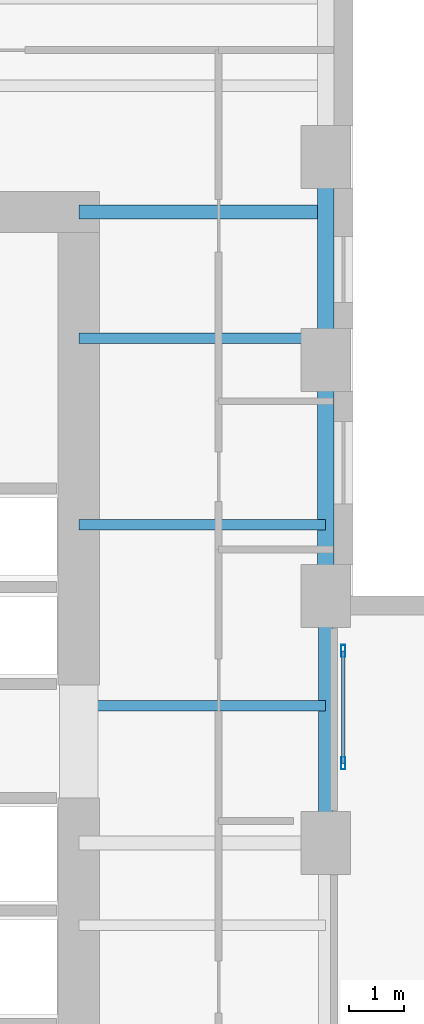
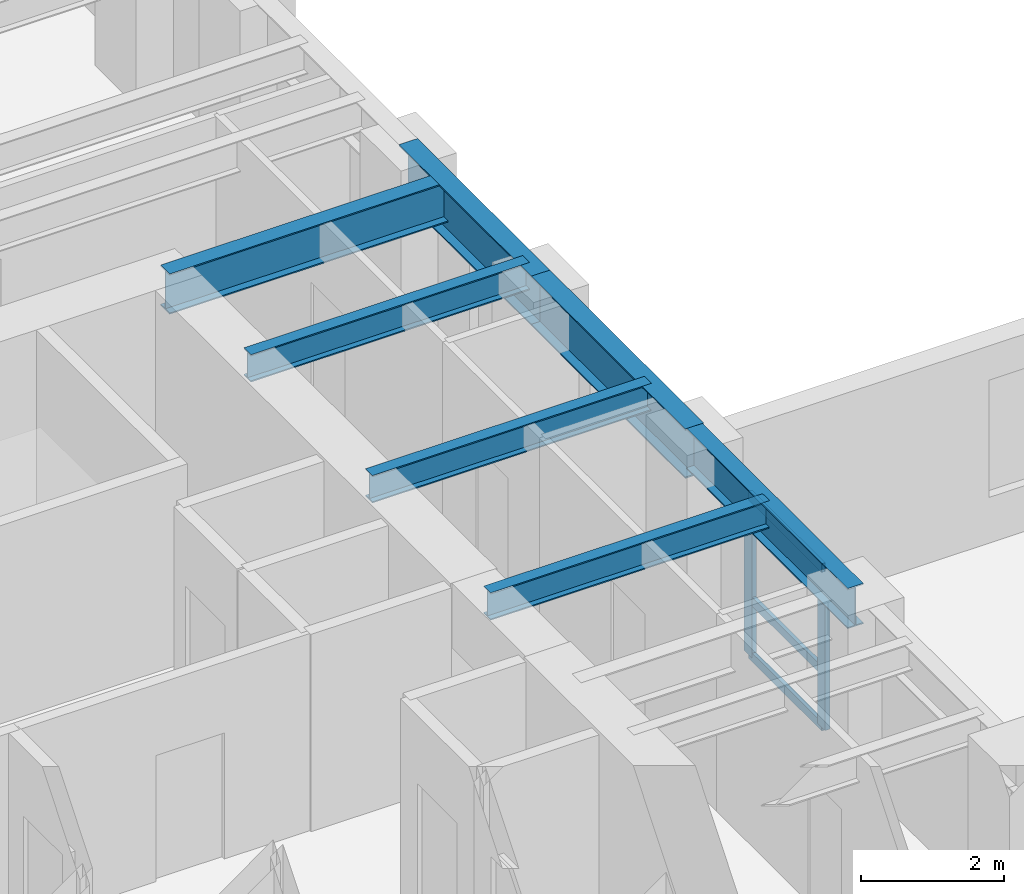
# One storey, part 4 of 14: 7 beams, 5 members, 1 element without a shape of its own.
"""IFC4 building model written with IfcOpenShell, lengths in metres."""

from ifc_helpers import new_model, si_unit, direction, frame, origin, origin_2d, place, context, subcontext, project, spatial, hollow_rectangle, i_section, extrude, source, transform, mapped, material, layer, layer_set, material_profile, profile_set, type_object, element, aggregate, save


model = new_model("IFC4")

# Units and contexts
model_context = context("Model", 3, precision=1e-05, world=origin(), true_north=direction((0.0, 1.0)))
body_context = subcontext(model_context, "Body", "Model", "MODEL_VIEW")
ifc_project = project(units=[si_unit("LENGTHUNIT", "METRE"), si_unit("AREAUNIT", "SQUARE_METRE"), si_unit("VOLUMEUNIT", "CUBIC_METRE"), si_unit("PLANEANGLEUNIT", "RADIAN"), si_unit("MASSUNIT", "GRAM", prefix="KILO")], contexts=[model_context])

# Site, building, storey
site_placement = place(None, origin())
site = spatial("IfcSite", under=ifc_project, at=site_placement, CompositionType="ELEMENT")
building_placement = place(site_placement, origin())
building = spatial("IfcBuilding", under=site, at=building_placement, Name="Kharzan Plaza Tower", CompositionType="ELEMENT")
storey_placement = place(building_placement, frame((0.0, 0.0, 81.0)))
storey = spatial("IfcBuildingStorey", under=building, at=storey_placement, Name="L21", CompositionType="ELEMENT", Elevation=81.0)

# Beams
ifc_material_1 = material(Name="Steel S355", Category="steel")
ifc_material_profile_1 = material_profile(ifc_material_1, i_section(OverallWidth=0.194091796875, OverallDepth=0.468994140625, WebThickness=0.011474609375, FlangeThickness=0.0205078125, at=origin_2d()), Name="W460x106")
ifc_profile_set_1 = profile_set([ifc_material_profile_1], Name="Steel S355")
beam_type_1 = type_object("IfcBeamType", Name="BM-JST460", PredefinedType="JOIST", material=ifc_profile_set_1)
shared_shape_1 = source(origin(), body_context, "Body", "SweptSolid", [
    extrude(i_section(OverallWidth=0.194091796875, OverallDepth=0.468994140625, WebThickness=0.011474609375, FlangeThickness=0.0205078125, at=origin_2d()), origin(), (0.0, 0.0, 1.0), 4.5),
])
for number, where, z_axis, x_axis, name in (
    (1, (14.5, 20.5, 3.1455078125), (1.0, 0.0, 0.0), (0.0, 1.0, 0.0), "L21 Wing A East Infill Joist 4"),
    (2, (14.5, 23.800048828125, 3.1455078125), (1.0, 0.0, 0.0), (0.0, 1.0, 0.0), "L21 Wing A East Infill Joist 5"),
    (3, (14.5, 27.199951171875, 3.1455078125), (1.0, 0.0, 0.0), (0.0, 1.0, 0.0), "L21 Wing A East Infill Joist 6"),
):
    element("IfcBeam", number, at=place(storey_placement, frame(where, z_axis=z_axis, x_axis=x_axis)), inside=storey, type_object=beam_type_1, Name=name, PredefinedType="JOIST", context=body_context, shape_type="MappedRepresentation", body=[
        mapped(shared_shape_1, transform((0.0, 0.0, 0.0), x_axis=(1.0, 0.0, 0.0), y_axis=(0.0, 1.0, 0.0), z_axis=(0.0, 0.0, 1.0))),
    ])

# Curtain wall, members
ifc_material_2 = material(Name="Unitised Bronze-Anodized Aluminium and Low-E Glass", Category="aluminium")
ifc_layer = layer(ifc_material_2, 0.199951171875)
ifc_layer_set = layer_set([ifc_layer], Name="Unitised Bronze-Anodized Aluminium and Low-E Glass")
curtain_wall_type = type_object("IfcCurtainWallType", Name="CW-SLOT-3", PredefinedType="NOTDEFINED", material=ifc_layer_set)
curtain_wall_placement = place(storey_placement, origin())
curtain_wall = element("IfcCurtainWall", 4, at=curtain_wall_placement, inside=storey, type_object=curtain_wall_type, Name="L21 West Slot Recessed Spine Curtain Wall", PredefinedType="NOTDEFINED")
ifc_material_3 = material(Name="Anodized Bronze Aluminium", Category="aluminium")
ifc_material_profile_2 = material_profile(ifc_material_3, hollow_rectangle(XDim=0.074951171875, YDim=0.219970703125, WallThickness=0.00390625, at=origin_2d()), Name="ALU-M220x75x4")
ifc_profile_set_2 = profile_set([ifc_material_profile_2], Name="Anodized Bronze Aluminium")
member_type_1 = type_object("IfcMemberType", Name="MEM-CW-MUL200", PredefinedType="MULLION", material=ifc_profile_set_2)
shared_shape_2 = source(origin(), body_context, "Body", "SweptSolid", [
    extrude(hollow_rectangle(XDim=0.074951171875, YDim=0.219970703125, WallThickness=0.00390625, at=origin_2d()), origin(), (0.0, 0.0, 1.0), 2.699951171875),
])
member_1_placement = place(storey_placement, frame((19.320068359375, 19.449951171875, 0.0), z_axis=(0.0, 0.0, 1.0), x_axis=(1.0, 0.0, 0.0)))
member_1 = element("IfcMember", 5, at=member_1_placement, type_object=member_type_1, Name="L21 Curtain-Wall Mullion 00", PredefinedType="MULLION", context=body_context, shape_type="MappedRepresentation", body=[
    mapped(shared_shape_2, transform((0.0, 0.0, 0.0), x_axis=(1.0, 0.0, 0.0), y_axis=(0.0, 1.0, 0.0), z_axis=(0.0, 0.0, 1.0))),
])
member_2_placement = place(storey_placement, frame((19.320068359375, 21.5, 0.0), z_axis=(0.0, 0.0, 1.0), x_axis=(1.0, 0.0, 0.0)))
member_2 = element("IfcMember", 6, at=member_2_placement, type_object=member_type_1, Name="L21 Curtain-Wall Mullion 01", PredefinedType="MULLION", context=body_context, shape_type="MappedRepresentation", body=[
    mapped(shared_shape_2, transform((0.0, 0.0, 0.0), x_axis=(1.0, 0.0, 0.0), y_axis=(0.0, 1.0, 0.0), z_axis=(0.0, 0.0, 1.0))),
])
ifc_material_profile_3 = material_profile(ifc_material_3, hollow_rectangle(XDim=0.06005859375, YDim=0.14990234375, WallThickness=0.00341796875, at=origin_2d()), Name="ALU-T150x60x3.5")
ifc_profile_set_3 = profile_set([ifc_material_profile_3], Name="Anodized Bronze Aluminium")
member_type_2 = type_object("IfcMemberType", Name="MEM-CW-TRN150", PredefinedType="USERDEFINED", material=ifc_profile_set_3)
shared_shape_3 = source(origin(), body_context, "Body", "SweptSolid", [
    extrude(hollow_rectangle(XDim=0.06005859375, YDim=0.14990234375, WallThickness=0.00341796875, at=origin_2d()), origin(), (0.0, 0.0, 1.0), 2.050048828125),
])
member_3_placement = place(storey_placement, frame((19.320068359375, 19.449951171875, 0.0), z_axis=(0.0, 1.0, 0.0), x_axis=(-1.0, 0.0, 0.0)))
member_3 = element("IfcMember", 7, at=member_3_placement, type_object=member_type_2, Name="L21 Curtain-Wall Transom 1", ObjectType="TRANSOM", PredefinedType="USERDEFINED", context=body_context, shape_type="MappedRepresentation", body=[
    mapped(shared_shape_3, transform((0.0, 0.0, 0.0), x_axis=(1.0, 0.0, 0.0), y_axis=(0.0, 1.0, 0.0), z_axis=(0.0, 0.0, 1.0))),
])
member_4_placement = place(storey_placement, frame((19.320068359375, 19.449951171875, 0.949951171875), z_axis=(0.0, 1.0, 0.0), x_axis=(-1.0, 0.0, 0.0)))
member_4 = element("IfcMember", 8, at=member_4_placement, type_object=member_type_2, Name="L21 Curtain-Wall Transom 2", ObjectType="TRANSOM", PredefinedType="USERDEFINED", context=body_context, shape_type="MappedRepresentation", body=[
    mapped(shared_shape_3, transform((0.0, 0.0, 0.0), x_axis=(1.0, 0.0, 0.0), y_axis=(0.0, 1.0, 0.0), z_axis=(0.0, 0.0, 1.0))),
])
member_5_placement = place(storey_placement, frame((19.320068359375, 19.449951171875, 2.699951171875), z_axis=(0.0, 1.0, 0.0), x_axis=(-1.0, 0.0, 0.0)))
member_5 = element("IfcMember", 9, at=member_5_placement, type_object=member_type_2, Name="L21 Curtain-Wall Transom 3", ObjectType="TRANSOM", PredefinedType="USERDEFINED", context=body_context, shape_type="MappedRepresentation", body=[
    mapped(shared_shape_3, transform((0.0, 0.0, 0.0), x_axis=(1.0, 0.0, 0.0), y_axis=(0.0, 1.0, 0.0), z_axis=(0.0, 0.0, 1.0))),
])
aggregate(curtain_wall, [member_1, member_2, member_3, member_4, member_5])

# Beams
ifc_material_profile_4 = material_profile(ifc_material_1, i_section(OverallWidth=0.25390625, OverallDepth=0.68798828125, WebThickness=0.01318359375, FlangeThickness=0.02099609375, at=origin_2d()), Name="W690x152")
ifc_profile_set_4 = profile_set([ifc_material_profile_4], Name="Steel S355")
beam_type_2 = type_object("IfcBeamType", Name="BM-FG690B", PredefinedType="BEAM", material=ifc_profile_set_4)
shared_shape_4 = source(origin(), body_context, "Body", "SweptSolid", [
    extrude(i_section(OverallWidth=0.25390625, OverallDepth=0.68798828125, WebThickness=0.01318359375, FlangeThickness=0.02099609375, at=origin_2d()), origin(), (0.0, 0.0, 1.0), 4.5),
])
for number, where, z_axis, x_axis, name in (
    (10, (14.5, 29.5, 3.035888671875), (1.0, 0.0, 0.0), (0.0, 1.0, 0.0), "L21 Core-A East Floor Girder 3"),
    (11, (19.0, 18.0, 3.035888671875), (0.0, 1.0, 0.0), (-1.0, 0.0, 0.0), "L21 Interior Frame Girder"),
):
    element("IfcBeam", number, at=place(storey_placement, frame(where, z_axis=z_axis, x_axis=x_axis)), inside=storey, type_object=beam_type_2, Name=name, PredefinedType="BEAM", context=body_context, shape_type="MappedRepresentation", body=[
        mapped(shared_shape_4, transform((0.0, 0.0, 0.0), x_axis=(1.0, 0.0, 0.0), y_axis=(0.0, 1.0, 0.0), z_axis=(0.0, 0.0, 1.0))),
    ])
ifc_material_profile_5 = material_profile(ifc_material_1, i_section(OverallWidth=0.299072265625, OverallDepth=0.845947265625, WebThickness=0.015380859375, FlangeThickness=0.0244140625, at=origin_2d()), Name="W840x210")
ifc_profile_set_5 = profile_set([ifc_material_profile_5], Name="Steel S355")
beam_type_3 = type_object("IfcBeamType", Name="BM-SP840B", PredefinedType="SPANDREL", material=ifc_profile_set_5)
shared_shape_5 = source(origin(), body_context, "Body", "SweptSolid", [
    extrude(i_section(OverallWidth=0.299072265625, OverallDepth=0.845947265625, WebThickness=0.015380859375, FlangeThickness=0.0244140625, at=origin_2d()), origin(), (0.0, 0.0, 1.0), 4.300048828125),
])
beam_1_placement = place(storey_placement, frame((19.0, 22.5, 2.95703125), z_axis=(0.0, 1.0, 0.0), x_axis=(-1.0, 0.0, 0.0)))
element("IfcBeam", 12, at=beam_1_placement, inside=storey, type_object=beam_type_3, Name="L21 Perimeter Tube Spandrel", PredefinedType="SPANDREL", context=body_context, shape_type="MappedRepresentation", body=[
    mapped(shared_shape_5, transform((0.0, 0.0, 0.0), x_axis=(1.0, 0.0, 0.0), y_axis=(0.0, 1.0, 0.0), z_axis=(0.0, 0.0, 1.0))),
])
shared_shape_6 = source(origin(), body_context, "Body", "SweptSolid", [
    extrude(i_section(OverallWidth=0.299072265625, OverallDepth=0.845947265625, WebThickness=0.015380859375, FlangeThickness=0.0244140625, at=origin_2d()), origin(), (0.0, 0.0, 1.0), 3.699951171875),
])
beam_2_placement = place(storey_placement, frame((19.0, 26.800048828125, 2.95703125), z_axis=(0.0, 1.0, 0.0), x_axis=(-1.0, 0.0, 0.0)))
element("IfcBeam", 13, at=beam_2_placement, inside=storey, type_object=beam_type_3, Name="L21 Perimeter Tube Spandrel", PredefinedType="SPANDREL", context=body_context, shape_type="MappedRepresentation", body=[
    mapped(shared_shape_6, transform((0.0, 0.0, 0.0), x_axis=(1.0, 0.0, 0.0), y_axis=(0.0, 1.0, 0.0), z_axis=(0.0, 0.0, 1.0))),
])

save(model, "model.ifc")
